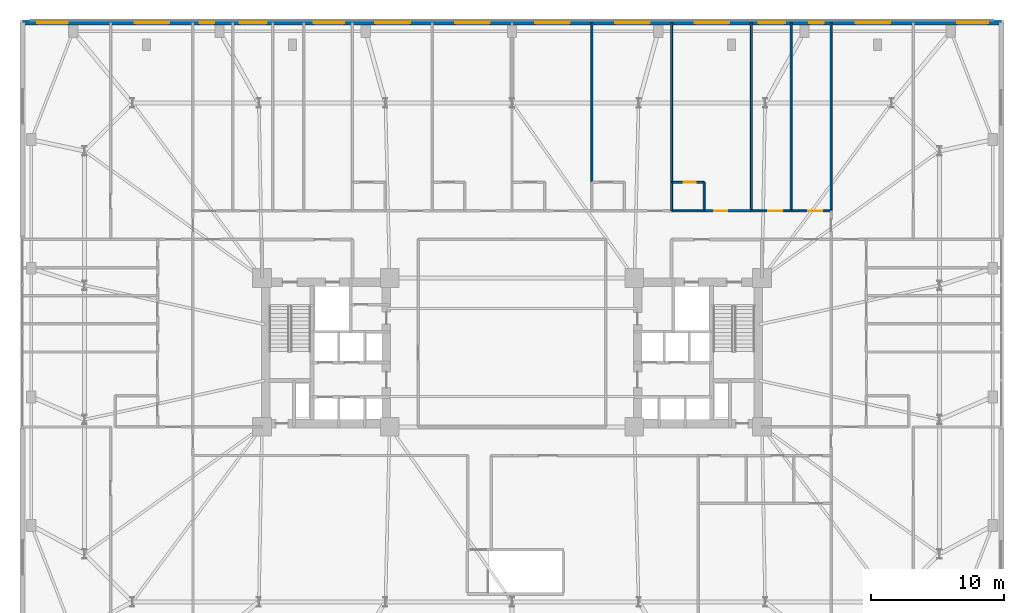
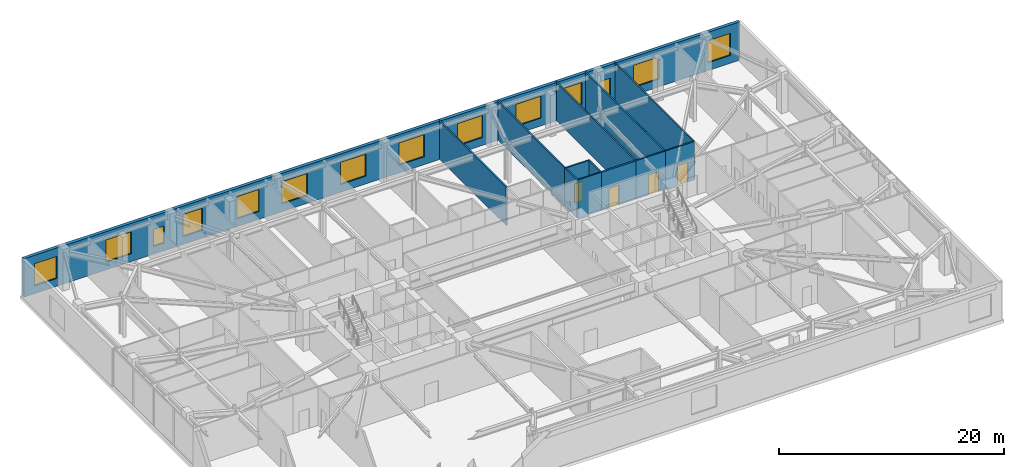
# One storey, part 16 of 21: 14 windows, 13 walls, 4 doors, 18 openings.
"""IFC4 building model written with IfcOpenShell, lengths in metres."""

from ifc_helpers import new_model, si_unit, direction, frame, frame_2d, origin, place, context, subcontext, project, spatial, rectangle, extrude, material, layer, layer_set, type_object, element, fill, save


model = new_model("IFC4")

# Units and contexts
model_context = context("Model", 3, precision=1e-05, world=origin(), true_north=direction((0.0, 1.0)))
body_context = subcontext(model_context, "Body", "Model", "MODEL_VIEW")
ifc_project = project(units=[si_unit("LENGTHUNIT", "METRE"), si_unit("AREAUNIT", "SQUARE_METRE"), si_unit("VOLUMEUNIT", "CUBIC_METRE"), si_unit("PLANEANGLEUNIT", "RADIAN"), si_unit("MASSUNIT", "GRAM", prefix="KILO")], contexts=[model_context])

# Site, building, storey
site_placement = place(None, origin())
site = spatial("IfcSite", under=ifc_project, at=site_placement, CompositionType="ELEMENT")
building_placement = place(site_placement, origin())
building = spatial("IfcBuilding", under=site, at=building_placement, Name="Qobustan Lattice House", CompositionType="ELEMENT")
storey_placement = place(building_placement, frame((0.0, 0.0, 22.5)))
storey = spatial("IfcBuildingStorey", under=building, at=storey_placement, Name="L05", CompositionType="ELEMENT", Elevation=22.5)

# Wall, openings, windows
ifc_material_1 = material(Name="Precast concrete C40/50", Category="concrete")
ifc_layer_1 = layer(ifc_material_1, 0.320068359375)
ifc_layer_set_1 = layer_set([ifc_layer_1], Name="Precast concrete C40/50")
wall_type_1 = type_object("IfcWallType", Name="WAL-EXT-STONE-320", PredefinedType="SOLIDWALL", material=ifc_layer_set_1)
wall_1_placement = place(storey_placement, frame((-36.800048828125, 24.800048828125, 0.0), z_axis=(0.0, 0.0, 1.0), x_axis=(1.0, 0.0, 0.0)))
wall_1 = element("IfcWall", 1, at=wall_1_placement, inside=storey, type_object=wall_type_1, Name="L05 exterior limestone-clad wall 2", PredefinedType="SOLIDWALL", context=body_context, shape_type="SweptSolid", body=[
    extrude(rectangle(XDim=73.60009765625, YDim=0.320068359375, at=frame_2d((36.800048828125, 0.0))), origin(), (0.0, 0.0, 1.0), 4.159912109375),
])
opening_1_placement = place(wall_1_placement, frame((1.078857421875, 0.0, 0.85009765625)))
opening_1 = element("IfcOpeningElement", 2, at=opening_1_placement, cuts=wall_1, Name="Opening WN-16", PredefinedType="OPENING", context=body_context, shape_type="SweptSolid", body=[
    extrude(rectangle(XDim=2.300048828125, YDim=2.39990234375, at=frame_2d((1.14990234375, 1.199951171875))), frame((0.0, 0.169921875, 0.0), z_axis=(0.0, -1.0, 0.0), x_axis=(1.0, 0.0, 0.0)), (0.0, 0.0, 1.0), 0.340087890625),
])
opening_2_placement = place(wall_1_placement, frame((8.4306640625, 0.0, 0.85009765625)))
opening_2 = element("IfcOpeningElement", 3, at=opening_2_placement, cuts=wall_1, Name="Opening WN-06", PredefinedType="OPENING", context=body_context, shape_type="SweptSolid", body=[
    extrude(rectangle(XDim=2.60009765625, YDim=2.39990234375, at=frame_2d((1.300048828125, 1.199951171875))), frame((0.0, 0.169921875, 0.0), z_axis=(0.0, -1.0, 0.0), x_axis=(1.0, 0.0, 0.0)), (0.0, 0.0, 1.0), 0.340087890625),
])
opening_3_placement = place(wall_1_placement, frame((13.316162109375, 0.0, 0.85009765625)))
opening_3 = element("IfcOpeningElement", 4, at=opening_3_placement, cuts=wall_1, Name="Opening WN-04", PredefinedType="OPENING", context=body_context, shape_type="SweptSolid", body=[
    extrude(rectangle(XDim=1.10009765625, YDim=1.85009765625, at=frame_2d((0.550048828125, 0.925048828125))), frame((0.0, 0.169921875, 0.0), z_axis=(0.0, -1.0, 0.0), x_axis=(1.0, 0.0, 0.0)), (0.0, 0.0, 1.0), 0.340087890625),
])
opening_4_placement = place(wall_1_placement, frame((16.3388671875, 0.0, 0.85009765625)))
opening_4 = element("IfcOpeningElement", 5, at=opening_4_placement, cuts=wall_1, Name="Opening WN-05", PredefinedType="OPENING", context=body_context, shape_type="SweptSolid", body=[
    extrude(rectangle(XDim=2.0, YDim=2.39990234375, at=frame_2d((1.0, 1.199951171875))), frame((0.0, 0.169921875, 0.0), z_axis=(0.0, -1.0, 0.0), x_axis=(1.0, 0.0, 0.0)), (0.0, 0.0, 1.0), 0.340087890625),
])
opening_5_placement = place(wall_1_placement, frame((21.875, 0.0, 0.85009765625)))
opening_5 = element("IfcOpeningElement", 6, at=opening_5_placement, cuts=wall_1, Name="Opening WN-16", PredefinedType="OPENING", context=body_context, shape_type="SweptSolid", body=[
    extrude(rectangle(XDim=2.300048828125, YDim=2.39990234375, at=frame_2d((1.14990234375, 1.199951171875))), frame((0.0, 0.169921875, 0.0), z_axis=(0.0, -1.0, 0.0), x_axis=(1.0, 0.0, 0.0)), (0.0, 0.0, 1.0), 0.340087890625),
])
opening_6_placement = place(wall_1_placement, frame((26.5302734375, 0.0, 0.85009765625)))
opening_6 = element("IfcOpeningElement", 7, at=opening_6_placement, cuts=wall_1, Name="Opening WN-06", PredefinedType="OPENING", context=body_context, shape_type="SweptSolid", body=[
    extrude(rectangle(XDim=2.60009765625, YDim=2.39990234375, at=frame_2d((1.300048828125, 1.199951171875))), frame((0.0, 0.169921875, 0.0), z_axis=(0.0, -1.0, 0.0), x_axis=(1.0, 0.0, 0.0)), (0.0, 0.0, 1.0), 0.340087890625),
])
opening_7_placement = place(wall_1_placement, frame((32.536865234375, 0.0, 0.85009765625)))
opening_7 = element("IfcOpeningElement", 8, at=opening_7_placement, cuts=wall_1, Name="Opening WN-06", PredefinedType="OPENING", context=body_context, shape_type="SweptSolid", body=[
    extrude(rectangle(XDim=2.60009765625, YDim=2.39990234375, at=frame_2d((1.300048828125, 1.199951171875))), frame((0.0, 0.169921875, 0.0), z_axis=(0.0, -1.0, 0.0), x_axis=(1.0, 0.0, 0.0)), (0.0, 0.0, 1.0), 0.340087890625),
])
opening_8_placement = place(wall_1_placement, frame((38.543212890625, 0.0, 0.85009765625)))
opening_8 = element("IfcOpeningElement", 9, at=opening_8_placement, cuts=wall_1, Name="Opening WN-06", PredefinedType="OPENING", context=body_context, shape_type="SweptSolid", body=[
    extrude(rectangle(XDim=2.60009765625, YDim=2.39990234375, at=frame_2d((1.300048828125, 1.199951171875))), frame((0.0, 0.169921875, 0.0), z_axis=(0.0, -1.0, 0.0), x_axis=(1.0, 0.0, 0.0)), (0.0, 0.0, 1.0), 0.340087890625),
])
opening_9_placement = place(wall_1_placement, frame((44.5498046875, 0.0, 0.85009765625)))
opening_9 = element("IfcOpeningElement", 10, at=opening_9_placement, cuts=wall_1, Name="Opening WN-06", PredefinedType="OPENING", context=body_context, shape_type="SweptSolid", body=[
    extrude(rectangle(XDim=2.60009765625, YDim=2.39990234375, at=frame_2d((1.300048828125, 1.199951171875))), frame((0.0, 0.169921875, 0.0), z_axis=(0.0, -1.0, 0.0), x_axis=(1.0, 0.0, 0.0)), (0.0, 0.0, 1.0), 0.340087890625),
])
opening_10_placement = place(wall_1_placement, frame((50.556396484375, 0.0, 0.85009765625)))
opening_10 = element("IfcOpeningElement", 11, at=opening_10_placement, cuts=wall_1, Name="Opening WN-06", PredefinedType="OPENING", context=body_context, shape_type="SweptSolid", body=[
    extrude(rectangle(XDim=2.60009765625, YDim=2.39990234375, at=frame_2d((1.300048828125, 1.199951171875))), frame((0.0, 0.169921875, 0.0), z_axis=(0.0, -1.0, 0.0), x_axis=(1.0, 0.0, 0.0)), (0.0, 0.0, 1.0), 0.340087890625),
])
opening_11_placement = place(wall_1_placement, frame((55.34130859375, 0.0, 0.85009765625)))
opening_11 = element("IfcOpeningElement", 12, at=opening_11_placement, cuts=wall_1, Name="Opening WN-05", PredefinedType="OPENING", context=body_context, shape_type="SweptSolid", body=[
    extrude(rectangle(XDim=2.0, YDim=2.39990234375, at=frame_2d((1.0, 1.199951171875))), frame((0.0, 0.169921875, 0.0), z_axis=(0.0, -1.0, 0.0), x_axis=(1.0, 0.0, 0.0)), (0.0, 0.0, 1.0), 0.340087890625),
])
opening_12_placement = place(wall_1_placement, frame((59.15966796875, 0.0, 0.85009765625)))
opening_12 = element("IfcOpeningElement", 13, at=opening_12_placement, cuts=wall_1, Name="Opening WN-04", PredefinedType="OPENING", context=body_context, shape_type="SweptSolid", body=[
    extrude(rectangle(XDim=1.10009765625, YDim=1.85009765625, at=frame_2d((0.550048828125, 0.925048828125))), frame((0.0, 0.169921875, 0.0), z_axis=(0.0, -1.0, 0.0), x_axis=(1.0, 0.0, 0.0)), (0.0, 0.0, 1.0), 0.340087890625),
])
opening_13_placement = place(wall_1_placement, frame((62.6494140625, 0.0, 0.85009765625)))
opening_13 = element("IfcOpeningElement", 14, at=opening_13_placement, cuts=wall_1, Name="Opening WN-06", PredefinedType="OPENING", context=body_context, shape_type="SweptSolid", body=[
    extrude(rectangle(XDim=2.60009765625, YDim=2.39990234375, at=frame_2d((1.300048828125, 1.199951171875))), frame((0.0, 0.169921875, 0.0), z_axis=(0.0, -1.0, 0.0), x_axis=(1.0, 0.0, 0.0)), (0.0, 0.0, 1.0), 0.340087890625),
])
opening_14_placement = place(wall_1_placement, frame((70.30126953125, 0.0, 0.85009765625)))
opening_14 = element("IfcOpeningElement", 15, at=opening_14_placement, cuts=wall_1, Name="Opening WN-16", PredefinedType="OPENING", context=body_context, shape_type="SweptSolid", body=[
    extrude(rectangle(XDim=2.300048828125, YDim=2.39990234375, at=frame_2d((1.14990234375, 1.199951171875))), frame((0.0, 0.169921875, 0.0), z_axis=(0.0, -1.0, 0.0), x_axis=(1.0, 0.0, 0.0)), (0.0, 0.0, 1.0), 0.340087890625),
])
ifc_material_2 = material(Name="Double-glazed low-E aluminium window", Category="aluminium")
window_type_1 = type_object("IfcWindowType", Name="WIN-NAR-1100x1850", PartitioningType="SINGLE_PANEL", PredefinedType="WINDOW", material=ifc_material_2)
window_1_placement = place(opening_3_placement, origin())
window_1 = element("IfcWindow", 16, at=window_1_placement, inside=storey, type_object=window_type_1, Name="L05 Focus study room N1A window", OverallHeight=1.85009765625, OverallWidth=1.10009765625, PartitioningType="SINGLE_PANEL", PredefinedType="WINDOW", context=body_context, shape_type="SweptSolid", body=[
    extrude(rectangle(XDim=1.10009765625, YDim=1.85009765625, at=frame_2d((0.550048828125, 0.925048828125))), frame((0.0, 0.030029296875, 0.0), z_axis=(0.0, -1.0, 0.0), x_axis=(1.0, 0.0, 0.0)), (0.0, 0.0, 1.0), 0.06005859375),
])
fill(opening_3, window_1)
window_2_placement = place(opening_12_placement, origin())
window_2 = element("IfcWindow", 17, at=window_2_placement, inside=storey, type_object=window_type_1, Name="L05 Focus study room N8B window", OverallHeight=1.85009765625, OverallWidth=1.10009765625, PartitioningType="SINGLE_PANEL", PredefinedType="WINDOW", context=body_context, shape_type="SweptSolid", body=[
    extrude(rectangle(XDim=1.10009765625, YDim=1.85009765625, at=frame_2d((0.550048828125, 0.925048828125))), frame((0.0, 0.030029296875, 0.0), z_axis=(0.0, -1.0, 0.0), x_axis=(1.0, 0.0, 0.0)), (0.0, 0.0, 1.0), 0.06005859375),
])
fill(opening_12, window_2)
ifc_material_3 = material(Name="Double-glazed low-E aluminium window", Category="aluminium")
window_type_2 = type_object("IfcWindowType", Name="WIN-POD-2000x2400", PartitioningType="SINGLE_PANEL", PredefinedType="WINDOW", material=ifc_material_3)
window_3_placement = place(opening_4_placement, origin())
window_3 = element("IfcWindow", 18, at=window_3_placement, inside=storey, type_object=window_type_2, Name="L05 Focus study room N1B window", OverallHeight=2.39990234375, OverallWidth=2.0, PartitioningType="SINGLE_PANEL", PredefinedType="WINDOW", context=body_context, shape_type="SweptSolid", body=[
    extrude(rectangle(XDim=2.0, YDim=2.39990234375, at=frame_2d((1.0, 1.199951171875))), frame((0.0, 0.030029296875, 0.0), z_axis=(0.0, -1.0, 0.0), x_axis=(1.0, 0.0, 0.0)), (0.0, 0.0, 1.0), 0.06005859375),
])
fill(opening_4, window_3)
window_4_placement = place(opening_11_placement, origin())
window_4 = element("IfcWindow", 19, at=window_4_placement, inside=storey, type_object=window_type_2, Name="L05 Focus study room N8A window", OverallHeight=2.39990234375, OverallWidth=2.0, PartitioningType="SINGLE_PANEL", PredefinedType="WINDOW", context=body_context, shape_type="SweptSolid", body=[
    extrude(rectangle(XDim=2.0, YDim=2.39990234375, at=frame_2d((1.0, 1.199951171875))), frame((0.0, 0.030029296875, 0.0), z_axis=(0.0, -1.0, 0.0), x_axis=(1.0, 0.0, 0.0)), (0.0, 0.0, 1.0), 0.06005859375),
])
fill(opening_11, window_4)
ifc_material_4 = material(Name="Double-glazed low-E aluminium window", Category="aluminium")
window_type_3 = type_object("IfcWindowType", Name="WIN-POD-2300x2400", PartitioningType="SINGLE_PANEL", PredefinedType="WINDOW", material=ifc_material_4)
window_5_placement = place(opening_1_placement, origin())
window_5 = element("IfcWindow", 20, at=window_5_placement, inside=storey, type_object=window_type_3, Name="L05 Collaborative study room L05WN window", OverallHeight=2.39990234375, OverallWidth=2.300048828125, PartitioningType="SINGLE_PANEL", PredefinedType="WINDOW", context=body_context, shape_type="SweptSolid", body=[
    extrude(rectangle(XDim=2.300048828125, YDim=2.39990234375, at=frame_2d((1.14990234375, 1.199951171875))), frame((0.0, 0.030029296875, 0.0), z_axis=(0.0, -1.0, 0.0), x_axis=(1.0, 0.0, 0.0)), (0.0, 0.0, 1.0), 0.06005859375),
])
fill(opening_1, window_5)
window_6_placement = place(opening_5_placement, origin())
window_6 = element("IfcWindow", 21, at=window_6_placement, inside=storey, type_object=window_type_3, Name="L05 Laundry utility room window", OverallHeight=2.39990234375, OverallWidth=2.300048828125, PartitioningType="SINGLE_PANEL", PredefinedType="WINDOW", context=body_context, shape_type="SweptSolid", body=[
    extrude(rectangle(XDim=2.300048828125, YDim=2.39990234375, at=frame_2d((1.14990234375, 1.199951171875))), frame((0.0, 0.030029296875, 0.0), z_axis=(0.0, -1.0, 0.0), x_axis=(1.0, 0.0, 0.0)), (0.0, 0.0, 1.0), 0.06005859375),
])
fill(opening_5, window_6)
window_7_placement = place(opening_14_placement, origin())
window_7 = element("IfcWindow", 22, at=window_7_placement, inside=storey, type_object=window_type_3, Name="L05 Collaborative study room L05EN window", OverallHeight=2.39990234375, OverallWidth=2.300048828125, PartitioningType="SINGLE_PANEL", PredefinedType="WINDOW", context=body_context, shape_type="SweptSolid", body=[
    extrude(rectangle(XDim=2.300048828125, YDim=2.39990234375, at=frame_2d((1.14990234375, 1.199951171875))), frame((0.0, 0.030029296875, 0.0), z_axis=(0.0, -1.0, 0.0), x_axis=(1.0, 0.0, 0.0)), (0.0, 0.0, 1.0), 0.06005859375),
])
fill(opening_14, window_7)
ifc_material_5 = material(Name="Double-glazed low-E aluminium window", Category="aluminium")
window_type_4 = type_object("IfcWindowType", Name="WIN-POD-2600x2400", PartitioningType="SINGLE_PANEL", PredefinedType="WINDOW", material=ifc_material_5)
window_8_placement = place(opening_2_placement, origin())
window_8 = element("IfcWindow", 23, at=window_8_placement, inside=storey, type_object=window_type_4, Name="L05 Reading seminar room L05WN window", OverallHeight=2.39990234375, OverallWidth=2.60009765625, PartitioningType="SINGLE_PANEL", PredefinedType="WINDOW", context=body_context, shape_type="SweptSolid", body=[
    extrude(rectangle(XDim=2.60009765625, YDim=2.39990234375, at=frame_2d((1.300048828125, 1.199951171875))), frame((0.0, 0.030029296875, 0.0), z_axis=(0.0, -1.0, 0.0), x_axis=(1.0, 0.0, 0.0)), (0.0, 0.0, 1.0), 0.06005859375),
])
fill(opening_2, window_8)
window_9_placement = place(opening_6_placement, origin())
window_9 = element("IfcWindow", 24, at=window_9_placement, inside=storey, type_object=window_type_4, Name="L05 Kitchenette and studio apartment L05-N3 window", OverallHeight=2.39990234375, OverallWidth=2.60009765625, PartitioningType="SINGLE_PANEL", PredefinedType="WINDOW", context=body_context, shape_type="SweptSolid", body=[
    extrude(rectangle(XDim=2.60009765625, YDim=2.39990234375, at=frame_2d((1.300048828125, 1.199951171875))), frame((0.0, 0.030029296875, 0.0), z_axis=(0.0, -1.0, 0.0), x_axis=(1.0, 0.0, 0.0)), (0.0, 0.0, 1.0), 0.06005859375),
])
fill(opening_6, window_9)
window_10_placement = place(opening_7_placement, origin())
window_10 = element("IfcWindow", 25, at=window_10_placement, inside=storey, type_object=window_type_4, Name="L05 Kitchenette and studio apartment L05-N4 window", OverallHeight=2.39990234375, OverallWidth=2.60009765625, PartitioningType="SINGLE_PANEL", PredefinedType="WINDOW", context=body_context, shape_type="SweptSolid", body=[
    extrude(rectangle(XDim=2.60009765625, YDim=2.39990234375, at=frame_2d((1.300048828125, 1.199951171875))), frame((0.0, 0.030029296875, 0.0), z_axis=(0.0, -1.0, 0.0), x_axis=(1.0, 0.0, 0.0)), (0.0, 0.0, 1.0), 0.06005859375),
])
fill(opening_7, window_10)
window_11_placement = place(opening_8_placement, origin())
window_11 = element("IfcWindow", 26, at=window_11_placement, inside=storey, type_object=window_type_4, Name="L05 Kitchenette and studio apartment L05-N5 window", OverallHeight=2.39990234375, OverallWidth=2.60009765625, PartitioningType="SINGLE_PANEL", PredefinedType="WINDOW", context=body_context, shape_type="SweptSolid", body=[
    extrude(rectangle(XDim=2.60009765625, YDim=2.39990234375, at=frame_2d((1.300048828125, 1.199951171875))), frame((0.0, 0.030029296875, 0.0), z_axis=(0.0, -1.0, 0.0), x_axis=(1.0, 0.0, 0.0)), (0.0, 0.0, 1.0), 0.06005859375),
])
fill(opening_8, window_11)
window_12_placement = place(opening_9_placement, origin())
window_12 = element("IfcWindow", 27, at=window_12_placement, inside=storey, type_object=window_type_4, Name="L05 Kitchenette and studio apartment L05-N6 window", OverallHeight=2.39990234375, OverallWidth=2.60009765625, PartitioningType="SINGLE_PANEL", PredefinedType="WINDOW", context=body_context, shape_type="SweptSolid", body=[
    extrude(rectangle(XDim=2.60009765625, YDim=2.39990234375, at=frame_2d((1.300048828125, 1.199951171875))), frame((0.0, 0.030029296875, 0.0), z_axis=(0.0, -1.0, 0.0), x_axis=(1.0, 0.0, 0.0)), (0.0, 0.0, 1.0), 0.06005859375),
])
fill(opening_9, window_12)
window_13_placement = place(opening_10_placement, origin())
window_13 = element("IfcWindow", 28, at=window_13_placement, inside=storey, type_object=window_type_4, Name="L05 Kitchenette and studio apartment L05-N7 window", OverallHeight=2.39990234375, OverallWidth=2.60009765625, PartitioningType="SINGLE_PANEL", PredefinedType="WINDOW", context=body_context, shape_type="SweptSolid", body=[
    extrude(rectangle(XDim=2.60009765625, YDim=2.39990234375, at=frame_2d((1.300048828125, 1.199951171875))), frame((0.0, 0.030029296875, 0.0), z_axis=(0.0, -1.0, 0.0), x_axis=(1.0, 0.0, 0.0)), (0.0, 0.0, 1.0), 0.06005859375),
])
fill(opening_10, window_13)
window_14_placement = place(opening_13_placement, origin())
window_14 = element("IfcWindow", 29, at=window_14_placement, inside=storey, type_object=window_type_4, Name="L05 Reading seminar room L05EN window", OverallHeight=2.39990234375, OverallWidth=2.60009765625, PartitioningType="SINGLE_PANEL", PredefinedType="WINDOW", context=body_context, shape_type="SweptSolid", body=[
    extrude(rectangle(XDim=2.60009765625, YDim=2.39990234375, at=frame_2d((1.300048828125, 1.199951171875))), frame((0.0, 0.030029296875, 0.0), z_axis=(0.0, -1.0, 0.0), x_axis=(1.0, 0.0, 0.0)), (0.0, 0.0, 1.0), 0.06005859375),
])
fill(opening_13, window_14)

# Wall, opening, door
ifc_material_6 = material(Name="Gypsum fireboard acoustic partition", Category="gypsum")
ifc_layer_2 = layer(ifc_material_6, 0.179931640625)
ifc_layer_set_2 = layer_set([ifc_layer_2], Name="Gypsum fireboard acoustic partition")
wall_type_2 = type_object("IfcWallType", Name="WAL-FIRE-180", PredefinedType="PARTITIONING", material=ifc_layer_set_2)
wall_2_placement = place(storey_placement, frame((14.449951171875, 10.64990234375, 0.0), z_axis=(0.0, 0.0, 1.0), x_axis=(1.0, 0.0, 0.0)))
wall_2 = element("IfcWall", 30, at=wall_2_placement, inside=storey, type_object=wall_type_2, Name="L05 interior partition 54", PredefinedType="PARTITIONING", context=body_context, shape_type="SweptSolid", body=[
    extrude(rectangle(XDim=3.550048828125, YDim=0.179931640625, at=frame_2d((1.77490234375, 0.0))), origin(), (0.0, 0.0, 1.0), 4.159912109375),
])
opening_15_placement = place(wall_2_placement, frame((0.75390625, 0.0, 0.0)))
opening_15 = element("IfcOpeningElement", 31, at=opening_15_placement, cuts=wall_2, Name="Opening FD-02", PredefinedType="OPENING", context=body_context, shape_type="SweptSolid", body=[
    extrude(rectangle(XDim=1.0, YDim=2.14990234375, at=frame_2d((0.5, 1.074951171875))), frame((0.0, 0.099853515625, 0.0), z_axis=(0.0, -1.0, 0.0), x_axis=(1.0, 0.0, 0.0)), (0.0, 0.0, 1.0), 0.199951171875),
])
ifc_material_7 = material(Name="Persian walnut timber and steel frame door", Category="steel")
door_type_1 = type_object("IfcDoorType", Name="DOR-UNIT-FD-1000x2150", OperationType="NOTDEFINED", PredefinedType="DOOR", material=ifc_material_7)
door_1_placement = place(opening_15_placement, origin())
door_1 = element("IfcDoor", 32, at=door_1_placement, inside=storey, type_object=door_type_1, Name="L05 North-east podium corridor to Kitchenette and studio apartment L05-N7 door", OperationType="SINGLE_SWING_LEFT", OverallHeight=2.14990234375, OverallWidth=1.0, PredefinedType="DOOR", context=body_context, shape_type="SweptSolid", body=[
    extrude(rectangle(XDim=1.0, YDim=2.14990234375, at=frame_2d((0.5, 1.074951171875))), frame((0.0, 0.02490234375, 0.0), z_axis=(0.0, -1.0, 0.0), x_axis=(1.0, 0.0, 0.0)), (0.0, 0.0, 1.0), 0.050048828125),
])
fill(opening_15, door_1)

ifc_material_8 = material(Name="Acoustic twin-stud gypsum partition", Category="gypsum")
ifc_layer_3 = layer(ifc_material_8, 0.14990234375)
ifc_layer_set_3 = layer_set([ifc_layer_3], Name="Acoustic twin-stud gypsum partition")
wall_type_3 = type_object("IfcWallType", Name="WAL-PART-150", PredefinedType="PARTITIONING", material=ifc_layer_set_3)
wall_3_placement = place(storey_placement, frame((18.0, 10.64990234375, 0.0), z_axis=(0.0, 0.0, 1.0), x_axis=(1.0, 0.0, 0.0)))
wall_3 = element("IfcWall", 33, at=wall_3_placement, inside=storey, type_object=wall_type_3, Name="L05 interior partition 56", PredefinedType="PARTITIONING", context=body_context, shape_type="SweptSolid", body=[
    extrude(rectangle(XDim=3.0, YDim=0.14990234375, at=frame_2d((1.5, 0.0))), origin(), (0.0, 0.0, 1.0), 4.159912109375),
])
opening_16_placement = place(wall_3_placement, frame((1.271240234375, 0.0, 0.0)))
opening_16 = element("IfcOpeningElement", 34, at=opening_16_placement, cuts=wall_3, Name="Opening ID-02", PredefinedType="OPENING", context=body_context, shape_type="SweptSolid", body=[
    extrude(rectangle(XDim=1.050048828125, YDim=2.14990234375, at=frame_2d((0.52490234375, 1.074951171875))), frame((0.0, 0.0849609375, 0.0), z_axis=(0.0, -1.0, 0.0), x_axis=(1.0, 0.0, 0.0)), (0.0, 0.0, 1.0), 0.169921875),
])
ifc_material_9 = material(Name="Persian walnut timber and steel frame door", Category="steel")
door_type_2 = type_object("IfcDoorType", Name="DOR-STUDY-1050x2150", OperationType="NOTDEFINED", PredefinedType="DOOR", material=ifc_material_9)
door_2_placement = place(opening_16_placement, origin())
door_2 = element("IfcDoor", 35, at=door_2_placement, inside=storey, type_object=door_type_2, Name="L05 North-east podium corridor to Focus study room N8A door", OperationType="SINGLE_SWING_RIGHT", OverallHeight=2.14990234375, OverallWidth=1.050048828125, PredefinedType="DOOR", context=body_context, shape_type="SweptSolid", body=[
    extrude(rectangle(XDim=1.050048828125, YDim=2.14990234375, at=frame_2d((0.52490234375, 1.074951171875))), frame((0.0, 0.02490234375, 0.0), z_axis=(0.0, -1.0, 0.0), x_axis=(1.0, 0.0, 0.0)), (0.0, 0.0, 1.0), 0.050048828125),
])
fill(opening_16, door_2)

wall_4_placement = place(storey_placement, frame((21.0, 10.64990234375, 0.0), z_axis=(0.0, 0.0, 1.0), x_axis=(1.0, 0.0, 0.0)))
wall_4 = element("IfcWall", 36, at=wall_4_placement, inside=storey, type_object=wall_type_3, Name="L05 interior partition 57", PredefinedType="PARTITIONING", context=body_context, shape_type="SweptSolid", body=[
    extrude(rectangle(XDim=3.0, YDim=0.14990234375, at=frame_2d((1.5, 0.0))), origin(), (0.0, 0.0, 1.0), 4.159912109375),
])
opening_17_placement = place(wall_4_placement, frame((1.271240234375, 0.0, 0.0)))
opening_17 = element("IfcOpeningElement", 37, at=opening_17_placement, cuts=wall_4, Name="Opening ID-02", PredefinedType="OPENING", context=body_context, shape_type="SweptSolid", body=[
    extrude(rectangle(XDim=1.050048828125, YDim=2.14990234375, at=frame_2d((0.52490234375, 1.074951171875))), frame((0.0, 0.0849609375, 0.0), z_axis=(0.0, -1.0, 0.0), x_axis=(1.0, 0.0, 0.0)), (0.0, 0.0, 1.0), 0.169921875),
])
door_3_placement = place(opening_17_placement, origin())
door_3 = element("IfcDoor", 38, at=door_3_placement, inside=storey, type_object=door_type_2, Name="L05 North-east podium corridor to Focus study room N8B door", OperationType="SINGLE_SWING_LEFT", OverallHeight=2.14990234375, OverallWidth=1.050048828125, PredefinedType="DOOR", context=body_context, shape_type="SweptSolid", body=[
    extrude(rectangle(XDim=1.050048828125, YDim=2.14990234375, at=frame_2d((0.52490234375, 1.074951171875))), frame((0.0, 0.02490234375, 0.0), z_axis=(0.0, -1.0, 0.0), x_axis=(1.0, 0.0, 0.0)), (0.0, 0.0, 1.0), 0.050048828125),
])
fill(opening_17, door_3)

# Walls
wall_5_placement = place(storey_placement, frame((24.0, 10.64990234375, 0.0), z_axis=(0.0, 0.0, 1.0), x_axis=(0.0, 1.0, 0.0)))
element("IfcWall", 39, at=wall_5_placement, inside=storey, type_object=wall_type_3, Name="L05 interior partition 109", PredefinedType="PARTITIONING", context=body_context, shape_type="SweptSolid", body=[
    extrude(rectangle(XDim=14.150146484375, YDim=0.14990234375, at=frame_2d((7.0751953125, 0.0))), origin(), (0.0, 0.0, 1.0), 4.159912109375),
])
for number, where, z_axis, x_axis, name in (
    (40, (6.0, 24.800048828125, 0.0), (0.0, 0.0, 1.0), (0.0, -1.0, 0.0), "L05 interior partition 137"),
    (41, (12.0, 24.800048828125, 0.0), (0.0, 0.0, 1.0), (0.0, -1.0, 0.0), "L05 interior partition 141"),
):
    element("IfcWall", number, at=place(storey_placement, frame(where, z_axis=z_axis, x_axis=x_axis)), inside=storey, type_object=wall_type_3, Name=name, PredefinedType="PARTITIONING", context=body_context, shape_type="SweptSolid", body=[
        extrude(rectangle(XDim=12.0, YDim=0.14990234375, at=frame_2d((6.0, 0.0))), origin(), (0.0, 0.0, 1.0), 4.159912109375),
    ])
for number, where, z_axis, x_axis, name in (
    (42, (18.0, 24.800048828125, 0.0), (0.0, 0.0, 1.0), (0.0, -1.0, 0.0), "L05 interior partition 145"),
    (43, (21.0, 24.800048828125, 0.0), (0.0, 0.0, 1.0), (0.0, -1.0, 0.0), "L05 interior partition 146"),
):
    element("IfcWall", number, at=place(storey_placement, frame(where, z_axis=z_axis, x_axis=x_axis)), inside=storey, type_object=wall_type_3, Name=name, PredefinedType="PARTITIONING", context=body_context, shape_type="SweptSolid", body=[
        extrude(rectangle(XDim=14.150146484375, YDim=0.14990234375, at=frame_2d((7.0751953125, 0.0))), origin(), (0.0, 0.0, 1.0), 4.159912109375),
    ])
ifc_material_10 = material(Name="Moisture-resistant acoustic plumbing wall", Category="gypsum")
ifc_layer_4 = layer(ifc_material_10, 0.14990234375)
ifc_layer_set_4 = layer_set([ifc_layer_4], Name="Moisture-resistant acoustic plumbing wall")
wall_type_4 = type_object("IfcWallType", Name="WAL-WET-150", PredefinedType="PLUMBINGWALL", material=ifc_layer_set_4)
wall_6_placement = place(storey_placement, frame((12.0, 10.64990234375, 0.0), z_axis=(0.0, 0.0, 1.0), x_axis=(1.0, 0.0, 0.0)))
element("IfcWall", 44, at=wall_6_placement, inside=storey, type_object=wall_type_4, Name="L05 interior partition 55", PredefinedType="PLUMBINGWALL", context=body_context, shape_type="SweptSolid", body=[
    extrude(rectangle(XDim=2.449951171875, YDim=0.14990234375, at=frame_2d((1.22509765625, 0.0))), origin(), (0.0, 0.0, 1.0), 4.159912109375),
])
wall_7_placement = place(storey_placement, frame((12.0, 12.800048828125, 0.0), z_axis=(0.0, 0.0, 1.0), x_axis=(0.0, -1.0, 0.0)))
element("IfcWall", 45, at=wall_7_placement, inside=storey, type_object=wall_type_4, Name="L05 interior partition 142", PredefinedType="PLUMBINGWALL", context=body_context, shape_type="SweptSolid", body=[
    extrude(rectangle(XDim=2.150146484375, YDim=0.14990234375, at=frame_2d((1.0751953125, 0.0))), origin(), (0.0, 0.0, 1.0), 4.159912109375),
])

# Wall, opening, door
wall_8_placement = place(storey_placement, frame((14.449951171875, 12.800048828125, 0.0), z_axis=(0.0, 0.0, 1.0), x_axis=(-1.0, 0.0, 0.0)))
wall_8 = element("IfcWall", 46, at=wall_8_placement, inside=storey, type_object=wall_type_4, Name="L05 interior partition 143", PredefinedType="PLUMBINGWALL", context=body_context, shape_type="SweptSolid", body=[
    extrude(rectangle(XDim=2.449951171875, YDim=0.14990234375, at=frame_2d((1.22509765625, 0.0))), origin(), (0.0, 0.0, 1.0), 4.159912109375),
])
opening_18_placement = place(wall_8_placement, frame((0.628662109375, 0.0, 0.0)))
opening_18 = element("IfcOpeningElement", 47, at=opening_18_placement, cuts=wall_8, Name="Opening WD-01", PredefinedType="OPENING", context=body_context, shape_type="SweptSolid", body=[
    extrude(rectangle(XDim=0.89990234375, YDim=2.10009765625, at=frame_2d((0.449951171875, 1.050048828125))), frame((0.0, 0.0849609375, 0.0), z_axis=(0.0, -1.0, 0.0), x_axis=(1.0, 0.0, 0.0)), (0.0, 0.0, 1.0), 0.169921875),
])
ifc_material_11 = material(Name="Persian walnut timber and steel frame door", Category="steel")
door_type_3 = type_object("IfcDoorType", Name="DOR-WET-900x2100", OperationType="NOTDEFINED", PredefinedType="DOOR", material=ifc_material_11)
door_4_placement = place(opening_18_placement, origin())
door_4 = element("IfcDoor", 48, at=door_4_placement, inside=storey, type_object=door_type_3, Name="L05 Kitchenette and studio apartment L05-N7 to En-suite bathroom L05-N7 door", OperationType="SINGLE_SWING_RIGHT", OverallHeight=2.10009765625, OverallWidth=0.89990234375, PredefinedType="DOOR", context=body_context, shape_type="SweptSolid", body=[
    extrude(rectangle(XDim=0.89990234375, YDim=2.10009765625, at=frame_2d((0.449951171875, 1.050048828125))), frame((0.0, 0.02490234375, 0.0), z_axis=(0.0, -1.0, 0.0), x_axis=(1.0, 0.0, 0.0)), (0.0, 0.0, 1.0), 0.050048828125),
])
fill(opening_18, door_4)

# Wall
wall_9_placement = place(storey_placement, frame((14.449951171875, 10.64990234375, 0.0), z_axis=(0.0, 0.0, 1.0), x_axis=(0.0, 1.0, 0.0)))
element("IfcWall", 49, at=wall_9_placement, inside=storey, type_object=wall_type_4, Name="L05 interior partition 144", PredefinedType="PLUMBINGWALL", context=body_context, shape_type="SweptSolid", body=[
    extrude(rectangle(XDim=2.150146484375, YDim=0.14990234375, at=frame_2d((1.0751953125, 0.0))), origin(), (0.0, 0.0, 1.0), 4.159912109375),
])

save(model, "model.ifc")
